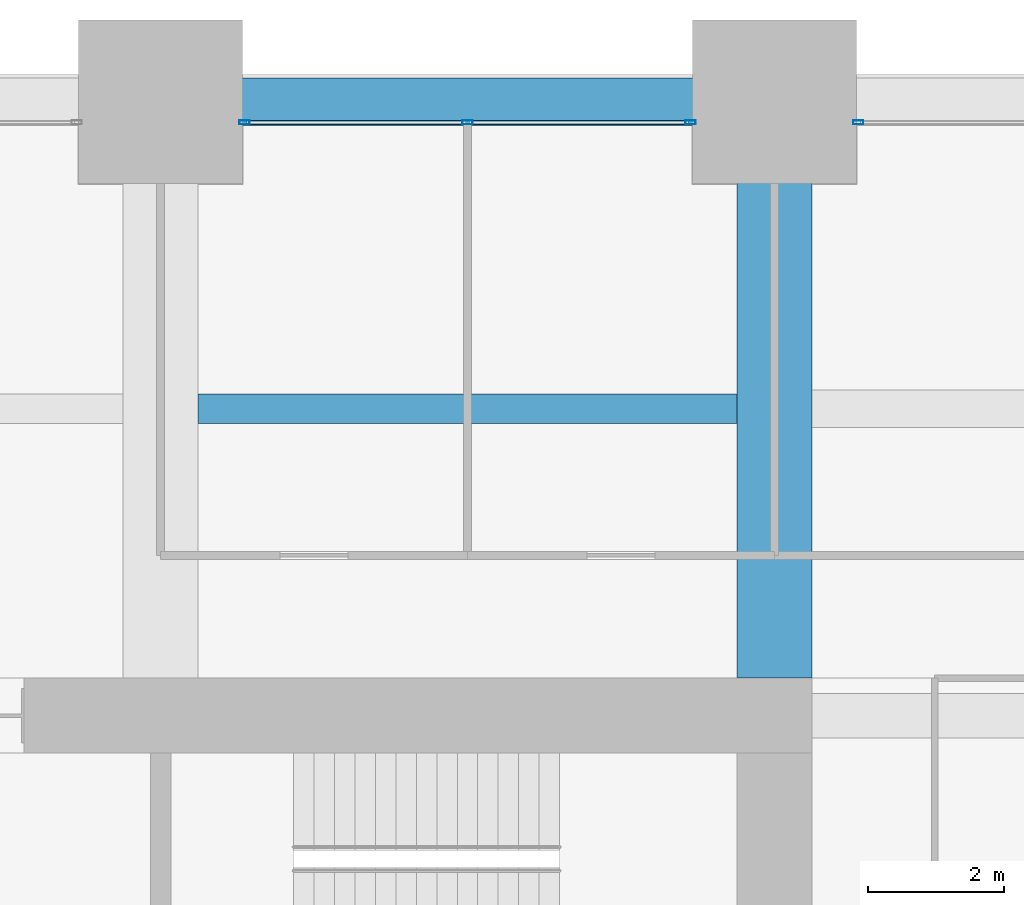
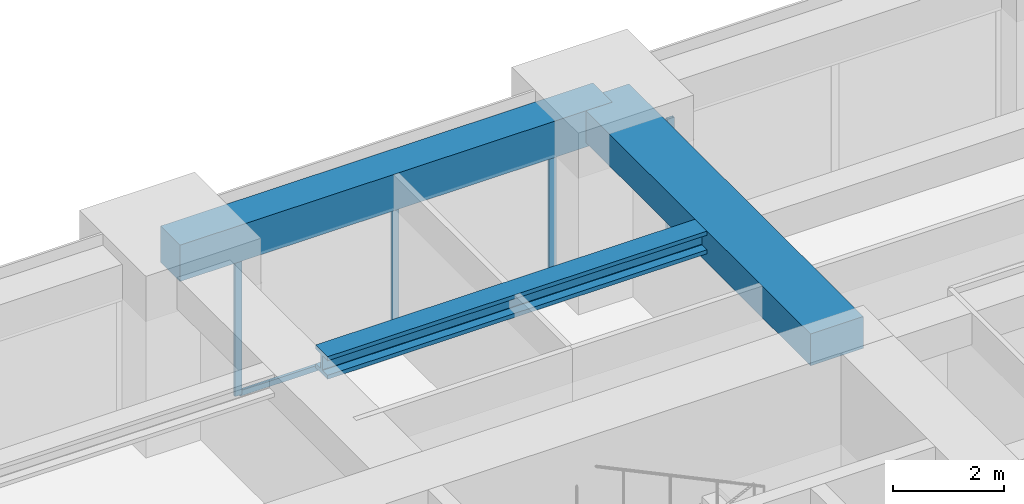
# One storey, part 30 of 41: 5 members, 3 beams, 2 elements without a shape of their own.
"""IFC4 building model written with IfcOpenShell, lengths in metres."""

from ifc_helpers import new_model, si_unit, direction, frame, origin, origin_2d, place, context, subcontext, project, spatial, rectangle, hollow_rectangle, i_section, extrude, material, material_profile, profile_set, type_object, element, aggregate, save


model = new_model("IFC4")

# Units and contexts
model_context = context("Model", 3, precision=1e-05, world=origin(), true_north=direction((0.0, 1.0)))
body_context = subcontext(model_context, "Body", "Model", "MODEL_VIEW")
ifc_project = project(units=[si_unit("LENGTHUNIT", "METRE"), si_unit("AREAUNIT", "SQUARE_METRE"), si_unit("VOLUMEUNIT", "CUBIC_METRE"), si_unit("PLANEANGLEUNIT", "RADIAN"), si_unit("MASSUNIT", "GRAM", prefix="KILO")], contexts=[model_context])

# Site, building, storey
site_placement = place(None, origin())
site = spatial("IfcSite", under=ifc_project, at=site_placement, CompositionType="ELEMENT")
building_placement = place(site_placement, origin())
building = spatial("IfcBuilding", under=site, at=building_placement, Name="Zorevar Civic Tower", CompositionType="ELEMENT")
storey_placement = place(building_placement, frame((0.0, 0.0, 105.0)))
storey = spatial("IfcBuildingStorey", under=building, at=storey_placement, Name="L25", CompositionType="ELEMENT", Elevation=105.0)

# Beam
ifc_material_1 = material(Name="Concrete C50/60", Category="concrete")
ifc_material_profile_1 = material_profile(ifc_material_1, rectangle(XDim=1.10009765625, YDim=0.699951171875, at=origin_2d()), Name="RC 1100x700")
ifc_profile_set_1 = profile_set([ifc_material_profile_1], Name="Concrete C50/60")
beam_type_1 = type_object("IfcBeamType", Name="Beam RC 1100x700", PredefinedType="BEAM", material=ifc_profile_set_1)
beam_1_placement = place(storey_placement, frame((45.0, 36.550048828125, 3.39990234375), z_axis=(0.0, 1.0, 0.0), x_axis=(-1.0, 0.0, 0.0)))
element("IfcBeam", 1, at=beam_1_placement, inside=storey, type_object=beam_type_1, Name="Girder L26", PredefinedType="BEAM", context=body_context, shape_type="SweptSolid", body=[
    extrude(rectangle(XDim=1.10009765625, YDim=0.699951171875, at=origin_2d()), origin(), (0.0, 0.0, 1.0), 8.449951171875),
])

# Curtain wall, members
ifc_material_2 = material(Name="Dark grey solar-control glass in black aluminium frame", Category="aluminium")
curtain_wall_type = type_object("IfcCurtainWallType", Name="Curtain wall CW3 mid zone", PredefinedType="NOTDEFINED", material=ifc_material_2)
curtain_wall_1_placement = place(storey_placement, origin())
curtain_wall_1 = element("IfcCurtainWall", 2, at=curtain_wall_1_placement, inside=storey, type_object=curtain_wall_type, Name="CW3 L25", PredefinedType="NOTDEFINED")
ifc_material_3 = material(Name="Aluminium, black anodised", Category="aluminium")
ifc_material_profile_2 = material_profile(ifc_material_3, hollow_rectangle(XDim=0.06005859375, YDim=0.14990234375, WallThickness=0.00390625, at=origin_2d()), Name="AL 150x60x4")
ifc_profile_set_2 = profile_set([ifc_material_profile_2], Name="Aluminium, black anodised")
member_type_1 = type_object("IfcMemberType", Name="CW3 mullion AL 150x60x4", PredefinedType="MULLION", material=ifc_profile_set_2)
member_1_placement = place(storey_placement, frame((37.22998046875, 44.699951171875, 0.0), z_axis=(0.0, 0.0, 1.0), x_axis=(0.0, 1.0, 0.0)))
member_1 = element("IfcMember", 3, at=member_1_placement, type_object=member_type_1, Name="CW3 mullion 1", PredefinedType="MULLION", context=body_context, shape_type="SweptSolid", body=[
    extrude(hollow_rectangle(XDim=0.06005859375, YDim=0.14990234375, WallThickness=0.00390625, at=origin_2d()), origin(), (0.0, 0.0, 1.0), 2.949951171875),
])
member_2_placement = place(storey_placement, frame((40.5, 44.699951171875, 0.06005859375), z_axis=(0.0, 0.0, 1.0), x_axis=(0.0, 1.0, 0.0)))
member_2 = element("IfcMember", 4, at=member_2_placement, type_object=member_type_1, Name="CW3 mullion 2", PredefinedType="MULLION", context=body_context, shape_type="SweptSolid", body=[
    extrude(hollow_rectangle(XDim=0.06005859375, YDim=0.14990234375, WallThickness=0.00390625, at=origin_2d()), origin(), (0.0, 0.0, 1.0), 2.889892578125),
])
member_3_placement = place(storey_placement, frame((43.77001953125, 44.699951171875, 0.0), z_axis=(0.0, 0.0, 1.0), x_axis=(0.0, 1.0, 0.0)))
member_3 = element("IfcMember", 5, at=member_3_placement, type_object=member_type_1, Name="CW3 mullion 3", PredefinedType="MULLION", context=body_context, shape_type="SweptSolid", body=[
    extrude(hollow_rectangle(XDim=0.06005859375, YDim=0.14990234375, WallThickness=0.00390625, at=origin_2d()), origin(), (0.0, 0.0, 1.0), 2.949951171875),
])

# Curtain wall, member
curtain_wall_2_placement = place(storey_placement, origin())
curtain_wall_2 = element("IfcCurtainWall", 6, at=curtain_wall_2_placement, inside=storey, type_object=curtain_wall_type, Name="CW3 L25", PredefinedType="NOTDEFINED")
member_4_placement = place(storey_placement, frame((46.22998046875, 44.699951171875, 0.0), z_axis=(0.0, 0.0, 1.0), x_axis=(0.0, 1.0, 0.0)))
member_4 = element("IfcMember", 7, at=member_4_placement, type_object=member_type_1, Name="CW3 mullion 1", PredefinedType="MULLION", context=body_context, shape_type="SweptSolid", body=[
    extrude(hollow_rectangle(XDim=0.06005859375, YDim=0.14990234375, WallThickness=0.00390625, at=origin_2d()), origin(), (0.0, 0.0, 1.0), 2.949951171875),
])
aggregate(curtain_wall_2, [member_4])

# Member
ifc_material_4 = material(Name="Aluminium, black anodised", Category="aluminium")
ifc_material_profile_3 = material_profile(ifc_material_4, hollow_rectangle(XDim=0.06005859375, YDim=0.1201171875, WallThickness=0.0029296875, at=origin_2d()), Name="AL 120x60x3")
ifc_profile_set_3 = profile_set([ifc_material_profile_3], Name="Aluminium, black anodised")
member_type_2 = type_object("IfcMemberType", Name="CW3 transom AL 120x60x3", PredefinedType="USERDEFINED", material=ifc_profile_set_3)
member_5_placement = place(storey_placement, frame((37.260009765625, 44.699951171875, 0.030029296875), z_axis=(1.0, 0.0, 0.0), x_axis=(0.0, 1.0, 0.0)))
member_5 = element("IfcMember", 8, at=member_5_placement, type_object=member_type_2, Name="CW3 sill transom", ObjectType="TRANSOM", PredefinedType="USERDEFINED", context=body_context, shape_type="SweptSolid", body=[
    extrude(hollow_rectangle(XDim=0.06005859375, YDim=0.1201171875, WallThickness=0.0029296875, at=origin_2d()), origin(), (0.0, 0.0, 1.0), 6.47998046875),
])

aggregate(curtain_wall_1, [member_1, member_2, member_3, member_5])

# Beams
ifc_material_5 = material(Name="Steel S460M (HISTAR 460)", Category="steel")
ifc_material_profile_4 = material_profile(ifc_material_5, i_section(OverallWidth=0.431884765625, OverallDepth=0.498046875, WebThickness=0.0556640625, FlangeThickness=0.0888671875, FilletRadius=0.014892578125, at=origin_2d()), Name="HD 400x744")
ifc_profile_set_4 = profile_set([ifc_material_profile_4], Name="Steel S460M (HISTAR 460)")
beam_type_2 = type_object("IfcBeamType", Name="Core bay beam HD 400x744", PredefinedType="BEAM", material=ifc_profile_set_4)
beam_2_placement = place(storey_placement, frame((36.550048828125, 40.5, 3.5009765625), z_axis=(1.0, 0.0, 0.0), x_axis=(0.0, 1.0, 0.0)))
element("IfcBeam", 9, at=beam_2_placement, inside=storey, type_object=beam_type_2, Name="Secondary beam L26", PredefinedType="BEAM", context=body_context, shape_type="SweptSolid", body=[
    extrude(i_section(OverallWidth=0.431884765625, OverallDepth=0.498046875, WebThickness=0.0556640625, FlangeThickness=0.0888671875, FilletRadius=0.014892578125, at=origin_2d()), origin(), (0.0, 0.0, 1.0), 7.89990234375),
])
ifc_material_6 = material(Name="Concrete C50/60", Category="concrete")
ifc_material_profile_5 = material_profile(ifc_material_6, rectangle(XDim=0.699951171875, YDim=0.800048828125, at=origin_2d()), Name="RC 700x800")
ifc_profile_set_5 = profile_set([ifc_material_profile_5], Name="Concrete C50/60")
beam_type_3 = type_object("IfcBeamType", Name="Edge beam RC 700x800", PredefinedType="SPANDREL", material=ifc_profile_set_5)
beam_3_placement = place(storey_placement, frame((36.0, 45.0, 3.35009765625), z_axis=(1.0, 0.0, 0.0), x_axis=(0.0, 1.0, 0.0)))
element("IfcBeam", 10, at=beam_3_placement, inside=storey, type_object=beam_type_3, Name="Edge beam L26", PredefinedType="SPANDREL", context=body_context, shape_type="SweptSolid", body=[
    extrude(rectangle(XDim=0.699951171875, YDim=0.800048828125, at=origin_2d()), origin(), (0.0, 0.0, 1.0), 9.0),
])

save(model, "model.ifc")
